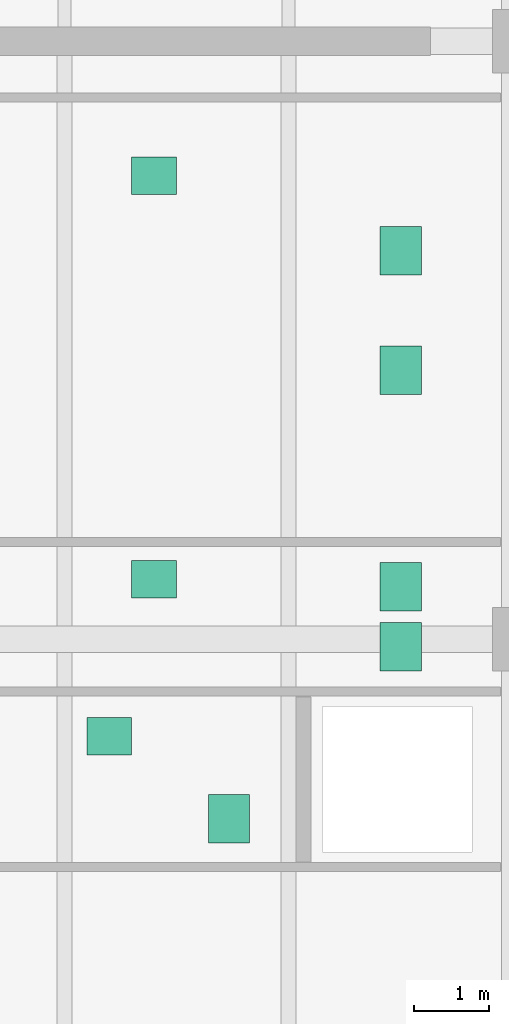
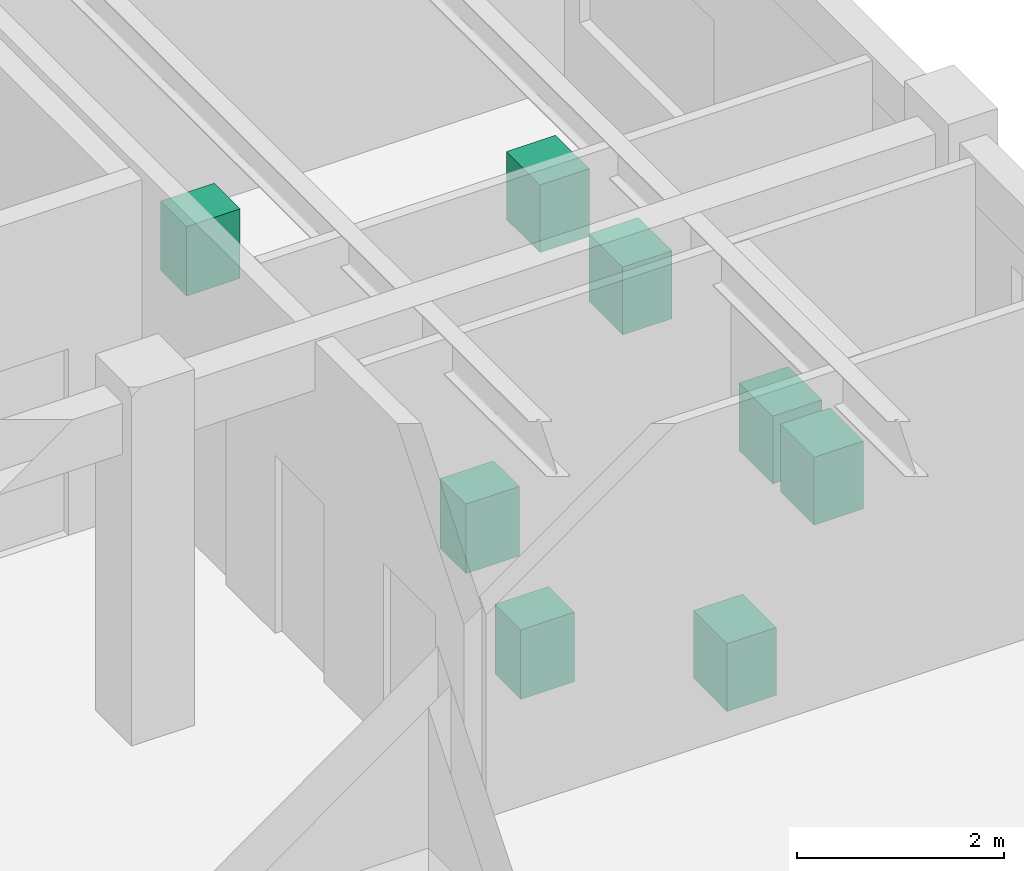
# One storey, part 71 of 71: 8 sanitary terminals.
"""IFC4 building model written with IfcOpenShell, lengths in metres."""

import ifcopenshell
import ifcopenshell.guid

model = None  # the IFC model being written
_history = None  # IfcOwnerHistory: only IFC2X3 demands one
_inside = {}  # id of a spatial element -> (the spatial element, [elements in it])
_under = {}  # id of a project, library or spatial element -> (it, [spatial elements below it])
_declared = {}  # id of a project -> (the project, [libraries it declares])
_typed = {}  # id of a type object -> (the type object, [elements of that type])
_made_of = {}  # id of a material, layer set ... -> (it, [elements and type objects made of it])


def new_model(schema):
    """Start an empty IFC model of exactly this schema.

    Asked for "IFC4X3", IfcOpenShell would pick the latest addendum, in which some entities
    have other attributes; the version numbers below select the first issue.
    IFC2X3 requires an IfcOwnerHistory on every rooted entity: one is made here for all.
    """
    global model, _history
    if schema == "IFC4X3":
        model = ifcopenshell.file(schema_version=(4, 3, 0, 0))
    else:
        model = ifcopenshell.file(schema=schema)
    _inside.clear()
    _under.clear()
    _declared.clear()
    _typed.clear()
    _made_of.clear()
    _history = None
    if model.schema == "IFC2X3":
        org = make("IfcOrganization", Name="unknown")
        user = make(
            "IfcPersonAndOrganization",
            ThePerson=make("IfcPerson", FamilyName="unknown"),
            TheOrganization=org,
        )
        app = make(
            "IfcApplication",
            ApplicationDeveloper=org,
            Version="unknown",
            ApplicationFullName="unknown",
            ApplicationIdentifier="unknown",
        )
        _history = make(
            "IfcOwnerHistory",
            OwningUser=user,
            OwningApplication=app,
            ChangeAction="ADDED",
            CreationDate=0,
        )
    return model


def make(cls, **values):
    """One entity of the class cls with the attributes given. An attribute that is None is left unset."""
    return model.create_entity(
        cls, **{name: value for name, value in values.items() if value is not None}
    )


def rooted(cls, **values):
    """An entity with a GlobalId (a new one), such as an element, a storey or a relation."""
    return make(cls, GlobalId=ifcopenshell.guid.new(), OwnerHistory=_history, **values)


def si_unit(unit_type, name, prefix=None):
    """IfcSIUnit, for example si_unit("LENGTHUNIT", "METRE", prefix="MILLI")."""
    return make("IfcSIUnit", UnitType=unit_type, Prefix=prefix, Name=name)


def derived_unit(unit_type, elements):
    """IfcDerivedUnit: a product of units, each with its exponent."""
    return make(
        "IfcDerivedUnit",
        Elements=[
            make("IfcDerivedUnitElement", Unit=unit, Exponent=power)
            for unit, power in elements
        ],
        UnitType=unit_type,
    )


def assignment(units):
    """IfcUnitAssignment: the units of a project."""
    return None if units is None else make("IfcUnitAssignment", Units=units)


def point(xyz):
    """IfcCartesianPoint."""
    return None if xyz is None else make("IfcCartesianPoint", Coordinates=xyz)


def direction(xyz):
    """IfcDirection."""
    return None if xyz is None else make("IfcDirection", DirectionRatios=xyz)


def frame(location, z_axis=None, x_axis=None):
    """IfcAxis2Placement3D, a coordinate frame: its origin and axes. An axis left out is left unset."""
    return make(
        "IfcAxis2Placement3D",
        Location=point(location),
        Axis=direction(z_axis),
        RefDirection=direction(x_axis),
    )


def frame_2d(location, x_axis=None):
    """IfcAxis2Placement2D, a coordinate frame in the plane: its origin and x axis."""
    return make(
        "IfcAxis2Placement2D", Location=point(location), RefDirection=direction(x_axis)
    )


def origin():
    """The frame at (0, 0, 0) with its axes left unset."""
    return frame((0.0, 0.0, 0.0))


def origin_2d():
    """The frame at (0, 0) in the plane with its x axis left unset."""
    return frame_2d((0.0, 0.0))


def place(relative_to, where):
    """IfcLocalPlacement: puts the frame where relative to a parent placement (None: the world)."""
    return make(
        "IfcLocalPlacement", PlacementRelTo=relative_to, RelativePlacement=where
    )


def context(
    kind, dimensions, precision=None, world=None, true_north=None, identifier=None
):
    """IfcGeometricRepresentationContext, for example the 3D "Model" context."""
    return make(
        "IfcGeometricRepresentationContext",
        ContextIdentifier=identifier,
        ContextType=kind,
        CoordinateSpaceDimension=dimensions,
        Precision=precision,
        WorldCoordinateSystem=world,
        TrueNorth=true_north,
    )


def subcontext(parent, identifier, kind, view, scale=None):
    """IfcGeometricRepresentationSubContext, for example "Body" below "Model"."""
    return make(
        "IfcGeometricRepresentationSubContext",
        ContextIdentifier=identifier,
        ContextType=kind,
        ParentContext=parent,
        TargetScale=scale,
        TargetView=view,
    )


def project(units=None, contexts=None):
    """IfcProject with its units and contexts."""
    return rooted(
        "IfcProject",
        Name="project",
        RepresentationContexts=contexts,
        UnitsInContext=assignment(units),
    )


def spatial(cls, under=None, at=None, **own):
    """A site, building, storey or space (cls), placed at a placement, below another one or the project."""
    s = rooted(cls, ObjectPlacement=at, **own)
    if under is not None:
        _under.setdefault(under.id(), (under, []))[1].append(s)
    return s


def profile(cls, at=None, kind="AREA", **sizes):
    """A parametric profile (cls). Its sizes go by their IFC names, for example OverallWidth=200.0."""
    return make(cls, ProfileType=kind, Position=at, **sizes)


def rectangle(**sizes):
    """IfcRectangleProfileDef."""
    return profile("IfcRectangleProfileDef", **sizes)


def extrude(swept, where, along, depth):
    """IfcExtrudedAreaSolid: the profile swept, set in the frame where, extruded along a direction by depth."""
    return make(
        "IfcExtrudedAreaSolid",
        SweptArea=swept,
        Position=where,
        ExtrudedDirection=direction(along),
        Depth=depth,
    )


def shape(context_of_items, identifier, shape_type, items):
    """IfcShapeRepresentation: the items that make up one representation, for example the "Body"."""
    return make(
        "IfcShapeRepresentation",
        ContextOfItems=context_of_items,
        RepresentationIdentifier=identifier,
        RepresentationType=shape_type,
        Items=items,
    )


def material(Name=None, Category=None):
    """IfcMaterial."""
    return make("IfcMaterial", Name=Name, Category=Category)


def made_of(thing, what):
    """Note that an element or type object is made of a material, layer set ...; save() writes the relation."""
    if what is not None:
        _made_of.setdefault(what.id(), (what, []))[1].append(thing)
    return thing


def type_object(cls, material=None, **own):
    """A type object (cls), such as IfcWallType, which elements share."""
    return made_of(rooted(cls, **own), material)


def element(
    cls,
    number,
    at=None,
    inside=None,
    cuts=None,
    type_object=None,
    material=None,
    context=None,
    identifier="Body",
    shape_type=None,
    held_by="IfcProductDefinitionShape",
    body=None,
    shapes=None,
    **own,
):
    """One element of the class cls, such as IfcWall. Its Tag is "e" and its number.

    at: its placement. inside: the storey or other place that contains it. cuts: it is an
    opening in that element (IfcRelVoidsElement). A single representation is given by context,
    identifier, shape_type and body (its items); several are given by shapes. held_by: the class
    of the entity that holds the representations. save() writes the other relations.
    """
    e = rooted(cls, Tag="e%d" % number, ObjectPlacement=at, **own)
    if body is not None:
        shapes = [shape(context, identifier, shape_type, body)]
    if shapes is not None:
        e.Representation = make(held_by, Representations=shapes)
    if inside is not None:
        _inside.setdefault(inside.id(), (inside, []))[1].append(e)
    if cuts is not None:
        rooted(
            "IfcRelVoidsElement", RelatingBuildingElement=cuts, RelatedOpeningElement=e
        )
    if type_object is not None:
        _typed.setdefault(type_object.id(), (type_object, []))[1].append(e)
    return made_of(e, material)


def aggregate(whole, parts):
    """IfcRelAggregates: a whole, such as a stair, and the parts it consists of."""
    return rooted("IfcRelAggregates", RelatingObject=whole, RelatedObjects=parts)


def save(model, path):
    """Write the relations noted so far, then the file.

    IfcRelAggregates (storeys below a building ...), IfcRelContainedInSpatialStructure (elements
    in a storey), IfcRelDefinesByType, IfcRelAssociatesMaterial and IfcRelDeclares: one each for
    every whole, place, type object, material and project.
    """
    for whole, parts in _under.values():
        aggregate(whole, parts)
    for where, things in _inside.values():
        rooted(
            "IfcRelContainedInSpatialStructure",
            RelatedElements=things,
            RelatingStructure=where,
        )
    for kind, things in _typed.values():
        rooted("IfcRelDefinesByType", RelatedObjects=things, RelatingType=kind)
    for what, things in _made_of.values():
        rooted("IfcRelAssociatesMaterial", RelatedObjects=things, RelatingMaterial=what)
    for by, libraries in _declared.values():
        rooted("IfcRelDeclares", RelatingContext=by, RelatedDefinitions=libraries)
    model.write(path)


model = new_model("IFC4")

# Units and contexts
model_context = context("Model", 3, precision=1e-05, world=origin(), true_north=direction((0.0, 1.0)))
body_context = subcontext(model_context, "Body", "Model", "MODEL_VIEW")
ifc_project = project(units=[si_unit("LENGTHUNIT", "METRE"), si_unit("AREAUNIT", "SQUARE_METRE"), si_unit("VOLUMEUNIT", "CUBIC_METRE"), si_unit("PLANEANGLEUNIT", "RADIAN"), si_unit("MASSUNIT", "GRAM", prefix="KILO"), derived_unit("THERMALTRANSMITTANCEUNIT", [(si_unit("MASSUNIT", "GRAM", prefix="KILO"), 1), (si_unit("TIMEUNIT", "SECOND"), -3), (si_unit("THERMODYNAMICTEMPERATUREUNIT", "KELVIN"), -1)])], contexts=[model_context])

# Site, building, storey
site_placement = place(None, origin())
site = spatial("IfcSite", under=ifc_project, at=site_placement, CompositionType="ELEMENT")
building_placement = place(site_placement, origin())
building = spatial("IfcBuilding", under=site, at=building_placement, Name="Zhenchuan Archway Interchange", CompositionType="ELEMENT")
storey_placement = place(building_placement, frame((0.0, 0.0, 18.60009765625)))
storey = spatial("IfcBuildingStorey", under=building, at=storey_placement, Name="L04", CompositionType="ELEMENT", Elevation=18.60009765625)

# Sanitary terminals
ifc_material = material(Name="Vitreous China", Category="ceramic")
sanitary_terminal_type_1 = type_object("IfcSanitaryTerminalType", Name="SAN_WASHHANDBASIN", PredefinedType="WASHHANDBASIN", material=ifc_material)
for number, where, z_axis, x_axis, name in (
    (1, (165.60009765625, 54.699951171875, 0.0), (0.0, 0.0, 1.0), (1.0, 0.0, 0.0), "Sanitary fixture 02 (L04)"),
    (2, (166.199951171875, 56.800048828125, 0.0), (0.0, 0.0, 1.0), (1.0, 0.0, 0.0), "Sanitary fixture 05 (L04)"),
    (3, (166.199951171875, 62.199951171875, 0.0), (0.0, 0.0, 1.0), (1.0, 0.0, 0.0), "Sanitary fixture 08 (L04)"),
):
    element("IfcSanitaryTerminal", number, at=place(storey_placement, frame(where, z_axis=z_axis, x_axis=x_axis)), inside=storey, type_object=sanitary_terminal_type_1, Name=name, PredefinedType="WASHHANDBASIN", context=body_context, shape_type="SweptSolid", body=[
        extrude(rectangle(XDim=0.60009765625, YDim=0.5, at=origin_2d()), origin(), (0.0, 0.0, 1.0), 0.820068359375),
    ])
sanitary_terminal_type_2 = type_object("IfcSanitaryTerminalType", Name="SAN_WCSEAT", PredefinedType="WCSEAT", material=ifc_material)
for number, where, z_axis, x_axis, name in (
    (4, (167.199951171875, 53.60009765625, 0.0), (0.0, 0.0, 1.0), (1.0, 0.0, 0.0), "Sanitary fixture 01 (L04)"),
    (5, (169.5, 55.89990234375, 0.0), (0.0, 0.0, 1.0), (1.0, 0.0, 0.0), "Sanitary fixture 03 (L04)"),
    (6, (169.5, 56.699951171875, 0.0), (0.0, 0.0, 1.0), (1.0, 0.0, 0.0), "Sanitary fixture 04 (L04)"),
    (7, (169.5, 59.60009765625, 0.0), (0.0, 0.0, 1.0), (1.0, 0.0, 0.0), "Sanitary fixture 06 (L04)"),
    (8, (169.5, 61.199951171875, 0.0), (0.0, 0.0, 1.0), (1.0, 0.0, 0.0), "Sanitary fixture 07 (L04)"),
):
    element("IfcSanitaryTerminal", number, at=place(storey_placement, frame(where, z_axis=z_axis, x_axis=x_axis)), inside=storey, type_object=sanitary_terminal_type_2, Name=name, PredefinedType="WCSEAT", context=body_context, shape_type="SweptSolid", body=[
        extrude(rectangle(XDim=0.550048828125, YDim=0.64990234375, at=origin_2d()), origin(), (0.0, 0.0, 1.0), 0.800048828125),
    ])

save(model, "model.ifc")
